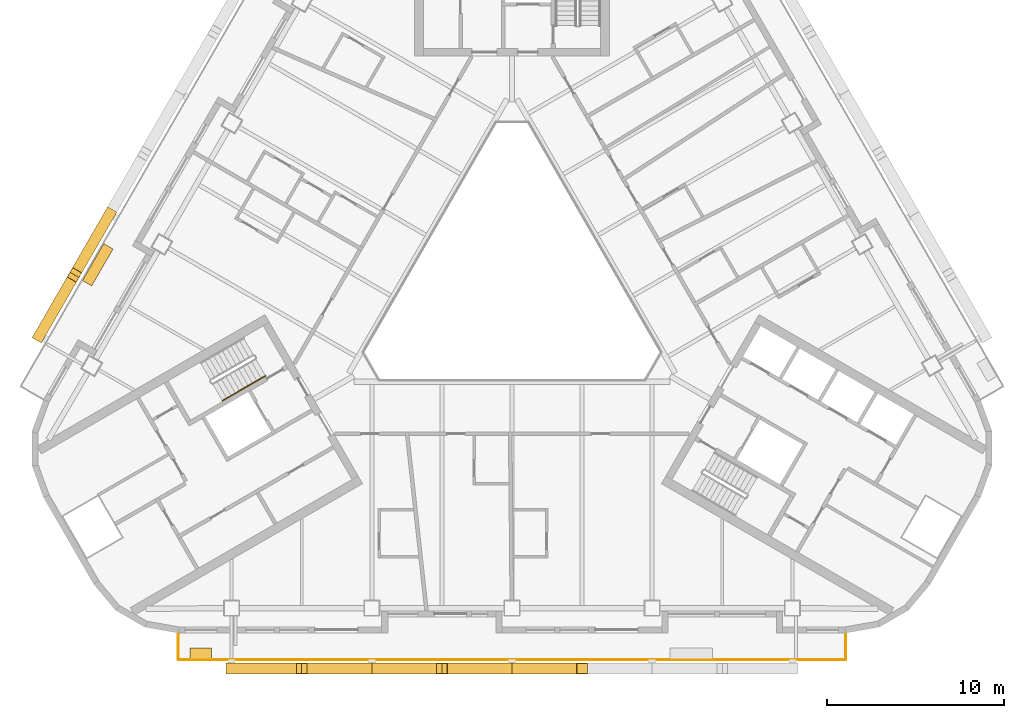
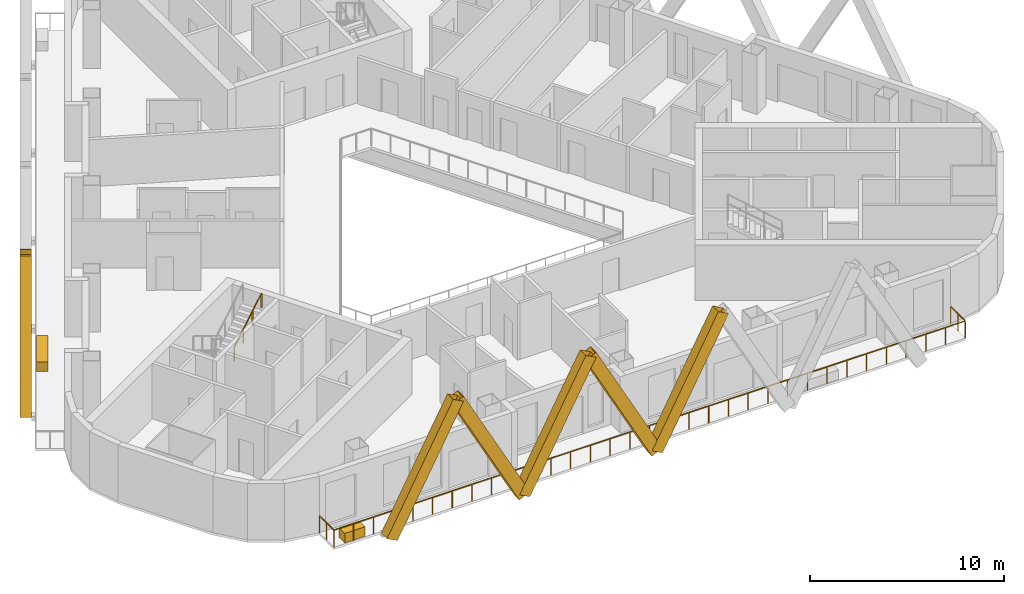
# One storey, part 9 of 14: 7 shading devices, 2 coverings, 2 railings.
"""IFC4 building model written with IfcOpenShell, lengths in metres."""

from ifc_helpers import new_model, si_unit, direction, frame, origin, origin_2d, place, context, subcontext, project, spatial, rectangle, hollow_rectangle, circle, extrude, material, material_profile, profile_set, type_object, element, save


model = new_model("IFC4")

# Units and contexts
model_context = context("Model", 3, precision=1e-05, world=origin(), true_north=direction((0.0, 1.0)))
body_context = subcontext(model_context, "Body", "Model", "MODEL_VIEW")
ifc_project = project(units=[si_unit("LENGTHUNIT", "METRE"), si_unit("AREAUNIT", "SQUARE_METRE"), si_unit("VOLUMEUNIT", "CUBIC_METRE"), si_unit("PLANEANGLEUNIT", "RADIAN"), si_unit("MASSUNIT", "GRAM", prefix="KILO")], contexts=[model_context])

# Site, building, storey
site_placement = place(None, origin())
site = spatial("IfcSite", under=ifc_project, at=site_placement, CompositionType="ELEMENT")
building_placement = place(site_placement, origin())
building = spatial("IfcBuilding", under=site, at=building_placement, Name="Apuvela Tower Hotel", CompositionType="ELEMENT")
storey_placement = place(building_placement, frame((0.0, 0.0, 120.5)))
storey = spatial("IfcBuildingStorey", under=building, at=storey_placement, Name="L28", CompositionType="ELEMENT", Elevation=120.5)

# Railing
ifc_material_1 = material(Name="Stainless steel 316 handrail", Category="steel")
railing_type_1 = type_object("IfcRailingType", Name="COR-HANDRAIL-900", PredefinedType="HANDRAIL", material=ifc_material_1)
railing_1_placement = place(storey_placement, frame((-16.31884765625, -6.534912109375, 2.01806640625)))
element("IfcRailing", 1, at=railing_1_placement, inside=storey, type_object=railing_type_1, Name="L28 ST2 stair handrail 2", PredefinedType="HANDRAIL", context=body_context, shape_type="SweptSolid", body=[
    extrude(circle(Radius=0.02392578125, at=origin_2d()), frame((0.0, 0.0, 0.8759765625), z_axis=(0.742390482028, 0.42860119049, 0.514934356695), x_axis=(-0.49998411664, 0.866034573852, 0.0)), (0.0, 0.0, 1.0), 3.26611328125),
    extrude(rectangle(XDim=0.0419921875, YDim=0.0419921875, at=origin_2d()), origin(), (0.0, 0.0, 1.0), 0.851806640625),
    extrude(rectangle(XDim=0.0419921875, YDim=0.0419921875, at=origin_2d()), frame((0.808349609375, 0.466552734375, 0.560546875)), (0.0, 0.0, 1.0), 0.851806640625),
    extrude(rectangle(XDim=0.0419921875, YDim=0.0419921875, at=origin_2d()), frame((1.616455078125, 0.933349609375, 1.121337890625)), (0.0, 0.0, 1.0), 0.851806640625),
    extrude(rectangle(XDim=0.0419921875, YDim=0.0419921875, at=origin_2d()), frame((2.4248046875, 1.39990234375, 1.681884765625)), (0.0, 0.0, 1.0), 0.851806640625),
])

# Shading devices
ifc_material_2 = material(Name="Aluminium 6063-T6, black anodised", Category="aluminium")
ifc_material_profile = material_profile(ifc_material_2, hollow_rectangle(XDim=0.60009765625, YDim=0.699951171875, WallThickness=0.011962890625, at=origin_2d()), Name="AL BOX 700x600x12")
ifc_profile_set = profile_set([ifc_material_profile], Name="Aluminium 6063-T6, black anodised")
shading_device_type = type_object("IfcShadingDeviceType", Name="ENV-FIN-700x600", PredefinedType="USERDEFINED", material=ifc_profile_set)
for number, where, z_axis, x_axis, name in (
    (2, (-15.800048828125, -21.6298828125, -0.10009765625), (0.470885802113, 0.0, 0.882194174413), (0.0, 1.0, 0.0), "Lattice fin S177"),
    (3, (-7.89990234375, -21.6298828125, -0.10009765625), (-0.470908452903, 0.0, 0.882182083804), (0.0, -1.0, 0.0), "Lattice fin S178"),
    (4, (-7.89990234375, -21.6298828125, -0.10009765625), (0.470885802113, 0.0, 0.882194174413), (0.0, 1.0, 0.0), "Lattice fin S179"),
    (5, (0.0, -21.6298828125, -0.10009765625), (-0.470885802113, 0.0, 0.882194174413), (0.0, -1.0, 0.0), "Lattice fin S180"),
    (6, (0.0, -21.6298828125, -0.10009765625), (0.470885802113, 0.0, 0.882194174413), (0.0, 1.0, 0.0), "Lattice fin S181"),
    (7, (-22.68212890625, 3.973388671875, -0.10009765625), (-0.235427548578, -0.407814415956, 0.882191176281), (0.866047669374, -0.499961432884, 0.0), "Lattice fin NW279"),
    (8, (-26.632080078125, -2.8681640625, -0.10009765625), (0.235457834389, 0.407787356937, 0.88219560175), (-0.866005453737, 0.500034552904, 0.0), "Lattice fin NW280"),
):
    element("IfcShadingDevice", number, at=place(storey_placement, frame(where, z_axis=z_axis, x_axis=x_axis)), inside=storey, type_object=shading_device_type, Name=name, ObjectType="FIN", PredefinedType="USERDEFINED", context=body_context, shape_type="SweptSolid", body=[
        extrude(hollow_rectangle(XDim=0.60009765625, YDim=0.699951171875, WallThickness=0.011962890625, at=origin_2d()), origin(), (0.0, 0.0, 1.0), 8.388427734375),
    ])

# Railing
ifc_material_3 = material(Name="Stainless steel 316 rail with laminated glass infill", Category="steel")
railing_type_2 = type_object("IfcRailingType", Name="ENV-GUARD-1100", PredefinedType="GUARDRAIL", material=ifc_material_3)
railing_2_placement = place(storey_placement, frame((-18.81591796875, -19.6298828125, 0.0)))
element("IfcRailing", 9, at=railing_2_placement, inside=storey, type_object=railing_type_2, Name="Balcony guard S L28", PredefinedType="GUARDRAIL", context=body_context, shape_type="SweptSolid", body=[
    extrude(rectangle(XDim=0.050048828125, YDim=0.050048828125, at=origin_2d()), frame((0.0, 0.0, 1.0751953125), z_axis=(0.0, -1.0, 0.0), x_axis=(1.0, 0.0, 0.0)), (0.0, 0.0, 1.0), 1.5),
    extrude(rectangle(XDim=0.050048828125, YDim=0.050048828125, at=origin_2d()), frame((0.0, -1.5, 1.0751953125), z_axis=(1.0, 0.0, 0.0), x_axis=(0.0, 1.0, 0.0)), (0.0, 0.0, 1.0), 37.6318359375),
    extrude(rectangle(XDim=0.050048828125, YDim=0.050048828125, at=origin_2d()), frame((37.6318359375, -1.5, 1.0751953125), z_axis=(0.0, 1.0, 0.0), x_axis=(-1.0, 0.0, 0.0)), (0.0, 0.0, 1.0), 1.5),
    extrude(rectangle(XDim=0.0400390625, YDim=0.0400390625, at=origin_2d()), origin(), (0.0, 0.0, 1.0), 1.050048828125),
    extrude(rectangle(XDim=0.0400390625, YDim=0.0400390625, at=origin_2d()), frame((0.0, -0.75, 0.0)), (0.0, 0.0, 1.0), 1.050048828125),
    extrude(rectangle(XDim=0.0400390625, YDim=0.0400390625, at=origin_2d()), frame((0.0, -1.5, 0.0)), (0.0, 0.0, 1.0), 1.050048828125),
    extrude(rectangle(XDim=0.0400390625, YDim=0.0400390625, at=origin_2d()), frame((1.176025390625, -1.5, 0.0)), (0.0, 0.0, 1.0), 1.050048828125),
    extrude(rectangle(XDim=0.0400390625, YDim=0.0400390625, at=origin_2d()), frame((2.35205078125, -1.5, 0.0)), (0.0, 0.0, 1.0), 1.050048828125),
    extrude(rectangle(XDim=0.0400390625, YDim=0.0400390625, at=origin_2d()), frame((3.528076171875, -1.5, 0.0)), (0.0, 0.0, 1.0), 1.050048828125),
    extrude(rectangle(XDim=0.0400390625, YDim=0.0400390625, at=origin_2d()), frame((4.7041015625, -1.5, 0.0)), (0.0, 0.0, 1.0), 1.050048828125),
    extrude(rectangle(XDim=0.0400390625, YDim=0.0400390625, at=origin_2d()), frame((5.8798828125, -1.5, 0.0)), (0.0, 0.0, 1.0), 1.050048828125),
    extrude(rectangle(XDim=0.0400390625, YDim=0.0400390625, at=origin_2d()), frame((7.055908203125, -1.5, 0.0)), (0.0, 0.0, 1.0), 1.050048828125),
    extrude(rectangle(XDim=0.0400390625, YDim=0.0400390625, at=origin_2d()), frame((8.23193359375, -1.5, 0.0)), (0.0, 0.0, 1.0), 1.050048828125),
    extrude(rectangle(XDim=0.0400390625, YDim=0.0400390625, at=origin_2d()), frame((9.407958984375, -1.5, 0.0)), (0.0, 0.0, 1.0), 1.050048828125),
    extrude(rectangle(XDim=0.0400390625, YDim=0.0400390625, at=origin_2d()), frame((10.583984375, -1.5, 0.0)), (0.0, 0.0, 1.0), 1.050048828125),
    extrude(rectangle(XDim=0.0400390625, YDim=0.0400390625, at=origin_2d()), frame((11.760009765625, -1.5, 0.0)), (0.0, 0.0, 1.0), 1.050048828125),
    extrude(rectangle(XDim=0.0400390625, YDim=0.0400390625, at=origin_2d()), frame((12.93603515625, -1.5, 0.0)), (0.0, 0.0, 1.0), 1.050048828125),
    extrude(rectangle(XDim=0.0400390625, YDim=0.0400390625, at=origin_2d()), frame((14.11181640625, -1.5, 0.0)), (0.0, 0.0, 1.0), 1.050048828125),
    extrude(rectangle(XDim=0.0400390625, YDim=0.0400390625, at=origin_2d()), frame((15.287841796875, -1.5, 0.0)), (0.0, 0.0, 1.0), 1.050048828125),
    extrude(rectangle(XDim=0.0400390625, YDim=0.0400390625, at=origin_2d()), frame((16.4638671875, -1.5, 0.0)), (0.0, 0.0, 1.0), 1.050048828125),
    extrude(rectangle(XDim=0.0400390625, YDim=0.0400390625, at=origin_2d()), frame((17.639892578125, -1.5, 0.0)), (0.0, 0.0, 1.0), 1.050048828125),
    extrude(rectangle(XDim=0.0400390625, YDim=0.0400390625, at=origin_2d()), frame((18.81591796875, -1.5, 0.0)), (0.0, 0.0, 1.0), 1.050048828125),
    extrude(rectangle(XDim=0.0400390625, YDim=0.0400390625, at=origin_2d()), frame((19.991943359375, -1.5, 0.0)), (0.0, 0.0, 1.0), 1.050048828125),
    extrude(rectangle(XDim=0.0400390625, YDim=0.0400390625, at=origin_2d()), frame((21.16796875, -1.5, 0.0)), (0.0, 0.0, 1.0), 1.050048828125),
    extrude(rectangle(XDim=0.0400390625, YDim=0.0400390625, at=origin_2d()), frame((22.343994140625, -1.5, 0.0)), (0.0, 0.0, 1.0), 1.050048828125),
    extrude(rectangle(XDim=0.0400390625, YDim=0.0400390625, at=origin_2d()), frame((23.52001953125, -1.5, 0.0)), (0.0, 0.0, 1.0), 1.050048828125),
    extrude(rectangle(XDim=0.0400390625, YDim=0.0400390625, at=origin_2d()), frame((24.69580078125, -1.5, 0.0)), (0.0, 0.0, 1.0), 1.050048828125),
    extrude(rectangle(XDim=0.0400390625, YDim=0.0400390625, at=origin_2d()), frame((25.871826171875, -1.5, 0.0)), (0.0, 0.0, 1.0), 1.050048828125),
    extrude(rectangle(XDim=0.0400390625, YDim=0.0400390625, at=origin_2d()), frame((27.0478515625, -1.5, 0.0)), (0.0, 0.0, 1.0), 1.050048828125),
    extrude(rectangle(XDim=0.0400390625, YDim=0.0400390625, at=origin_2d()), frame((28.223876953125, -1.5, 0.0)), (0.0, 0.0, 1.0), 1.050048828125),
    extrude(rectangle(XDim=0.0400390625, YDim=0.0400390625, at=origin_2d()), frame((29.39990234375, -1.5, 0.0)), (0.0, 0.0, 1.0), 1.050048828125),
    extrude(rectangle(XDim=0.0400390625, YDim=0.0400390625, at=origin_2d()), frame((30.575927734375, -1.5, 0.0)), (0.0, 0.0, 1.0), 1.050048828125),
    extrude(rectangle(XDim=0.0400390625, YDim=0.0400390625, at=origin_2d()), frame((31.751953125, -1.5, 0.0)), (0.0, 0.0, 1.0), 1.050048828125),
    extrude(rectangle(XDim=0.0400390625, YDim=0.0400390625, at=origin_2d()), frame((32.927734375, -1.5, 0.0)), (0.0, 0.0, 1.0), 1.050048828125),
    extrude(rectangle(XDim=0.0400390625, YDim=0.0400390625, at=origin_2d()), frame((34.103759765625, -1.5, 0.0)), (0.0, 0.0, 1.0), 1.050048828125),
    extrude(rectangle(XDim=0.0400390625, YDim=0.0400390625, at=origin_2d()), frame((35.27978515625, -1.5, 0.0)), (0.0, 0.0, 1.0), 1.050048828125),
    extrude(rectangle(XDim=0.0400390625, YDim=0.0400390625, at=origin_2d()), frame((36.455810546875, -1.5, 0.0)), (0.0, 0.0, 1.0), 1.050048828125),
    extrude(rectangle(XDim=0.0400390625, YDim=0.0400390625, at=origin_2d()), frame((37.6318359375, -1.5, 0.0)), (0.0, 0.0, 1.0), 1.050048828125),
    extrude(rectangle(XDim=0.0400390625, YDim=0.0400390625, at=origin_2d()), frame((37.6318359375, -0.75, 0.0)), (0.0, 0.0, 1.0), 1.050048828125),
    extrude(rectangle(XDim=0.0400390625, YDim=0.0400390625, at=origin_2d()), frame((37.6318359375, 0.0, 0.0)), (0.0, 0.0, 1.0), 1.050048828125),
])

# Coverings
ifc_material_4 = material(Name="Planting substrate and soil, planted")
covering_type_1 = type_object("IfcCoveringType", Name="ENV-PLANTER-1200x600", PredefinedType="USERDEFINED", material=ifc_material_4)
covering_1_placement = place(storey_placement, frame((-17.53515625, -20.780029296875, 0.0), z_axis=(0.0, 0.0, 1.0), x_axis=(1.0, 0.0, 0.0)))
element("IfcCovering", 10, at=covering_1_placement, inside=storey, type_object=covering_type_1, Name="Planter S1", ObjectType="PLANTER", PredefinedType="USERDEFINED", context=body_context, shape_type="SweptSolid", body=[
    extrude(rectangle(XDim=1.199951171875, YDim=0.60009765625, at=origin_2d()), origin(), (0.0, 0.0, 1.0), 0.60009765625),
])
covering_type_2 = type_object("IfcCoveringType", Name="ENV-PLANTER-2400x600", PredefinedType="USERDEFINED", material=ifc_material_4)
covering_2_placement = place(storey_placement, frame((-23.345947265625, 1.12353515625, 0.0), z_axis=(0.0, 0.0, 1.0), x_axis=(-0.5, -0.866025403784, 0.0)))
element("IfcCovering", 11, at=covering_2_placement, inside=storey, type_object=covering_type_2, Name="Planter NW5", ObjectType="PLANTER", PredefinedType="USERDEFINED", context=body_context, shape_type="SweptSolid", body=[
    extrude(rectangle(XDim=2.39990234375, YDim=0.60009765625, at=origin_2d()), origin(), (0.0, 0.0, 1.0), 0.60009765625),
])

save(model, "model.ifc")
